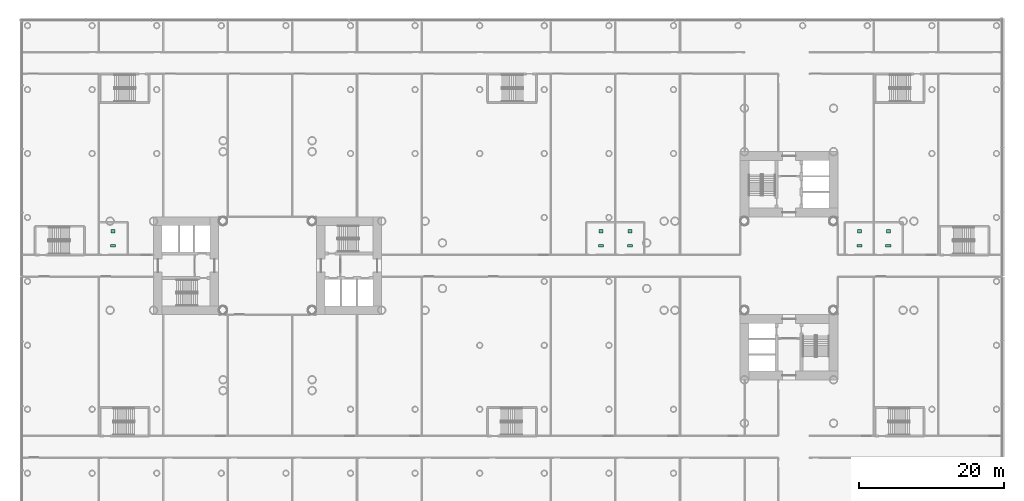
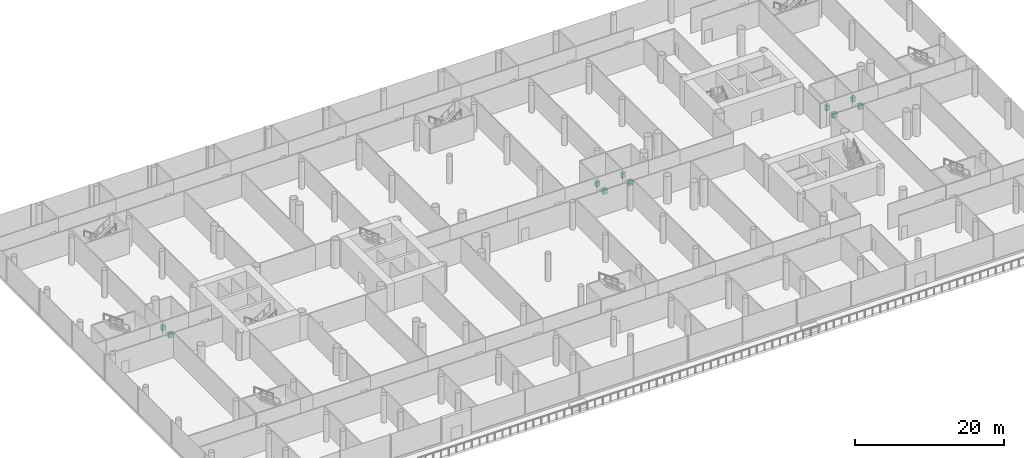
# One storey, part 49 of 49: 10 sanitary terminals.
"""IFC4 building model written with IfcOpenShell, lengths in metres."""

from ifc_helpers import new_model, si_unit, direction, frame, origin, origin_2d, place, context, subcontext, project, spatial, rectangle, extrude, material, type_object, element, save


model = new_model("IFC4")

# Units and contexts
model_context = context("Model", 3, precision=1e-05, world=origin(), true_north=direction((0.0, 1.0)))
body_context = subcontext(model_context, "Body", "Model", "MODEL_VIEW")
ifc_project = project(units=[si_unit("LENGTHUNIT", "METRE"), si_unit("AREAUNIT", "SQUARE_METRE"), si_unit("VOLUMEUNIT", "CUBIC_METRE"), si_unit("PLANEANGLEUNIT", "RADIAN"), si_unit("MASSUNIT", "GRAM", prefix="KILO")], contexts=[model_context])

# Site, building, storey
site_placement = place(None, origin())
site = spatial("IfcSite", under=ifc_project, at=site_placement, CompositionType="ELEMENT")
building_placement = place(site_placement, origin())
building = spatial("IfcBuilding", under=site, at=building_placement, Name="Ipe Terrace Towers", CompositionType="ELEMENT")
storey_placement = place(building_placement, frame((0.0, 0.0, 11.0)))
storey = spatial("IfcBuildingStorey", under=building, at=storey_placement, Name="L02", CompositionType="ELEMENT", Elevation=11.0)

# Sanitary terminals
ifc_material_1 = material(Name="Vitreous china", Category="ceramic")
sanitary_terminal_type_1 = type_object("IfcSanitaryTerminalType", Name="Wash basin", PredefinedType="WASHHANDBASIN", material=ifc_material_1)
for number, where, z_axis, x_axis, name in (
    (1, (-57.330078125, 4.75, 0.0), (0.0, 0.0, 1.0), (1.0, 0.0, 0.0), "Wash basin"),
    (2, (10.030029296875, 4.75, 0.0), (0.0, 0.0, 1.0), (1.0, 0.0, 0.0), "Wash basin"),
    (3, (14.030029296875, 4.75, 0.0), (0.0, 0.0, 1.0), (1.0, 0.0, 0.0), "Wash basin"),
    (4, (45.7099609375, 4.75, 0.0), (0.0, 0.0, 1.0), (1.0, 0.0, 0.0), "Wash basin"),
    (5, (49.7099609375, 4.75, 0.0), (0.0, 0.0, 1.0), (1.0, 0.0, 0.0), "Wash basin"),
):
    element("IfcSanitaryTerminal", number, at=place(storey_placement, frame(where, z_axis=z_axis, x_axis=x_axis)), inside=storey, type_object=sanitary_terminal_type_1, Name=name, PredefinedType="WASHHANDBASIN", context=body_context, shape_type="SweptSolid", body=[
        extrude(rectangle(XDim=0.550048828125, YDim=0.449951171875, at=origin_2d()), origin(), (0.0, 0.0, 1.0), 0.85009765625),
    ])
ifc_material_2 = material(Name="Vitreous china", Category="ceramic")
sanitary_terminal_type_2 = type_object("IfcSanitaryTerminalType", Name="Water closet", PredefinedType="TOILETPAN", material=ifc_material_2)
for number, where, z_axis, x_axis, name in (
    (6, (-57.330078125, 2.75, 0.0), (0.0, 0.0, 1.0), (1.0, 0.0, 0.0), "Water closet"),
    (7, (10.030029296875, 2.75, 0.0), (0.0, 0.0, 1.0), (1.0, 0.0, 0.0), "Water closet"),
    (8, (14.030029296875, 2.75, 0.0), (0.0, 0.0, 1.0), (1.0, 0.0, 0.0), "Water closet"),
    (9, (45.7099609375, 2.75, 0.0), (0.0, 0.0, 1.0), (1.0, 0.0, 0.0), "Water closet"),
    (10, (49.7099609375, 2.75, 0.0), (0.0, 0.0, 1.0), (1.0, 0.0, 0.0), "Water closet"),
):
    element("IfcSanitaryTerminal", number, at=place(storey_placement, frame(where, z_axis=z_axis, x_axis=x_axis)), inside=storey, type_object=sanitary_terminal_type_2, Name=name, PredefinedType="TOILETPAN", context=body_context, shape_type="SweptSolid", body=[
        extrude(rectangle(XDim=0.699951171875, YDim=0.39990234375, at=origin_2d()), origin(), (0.0, 0.0, 1.0), 0.780029296875),
    ])

save(model, "model.ifc")
